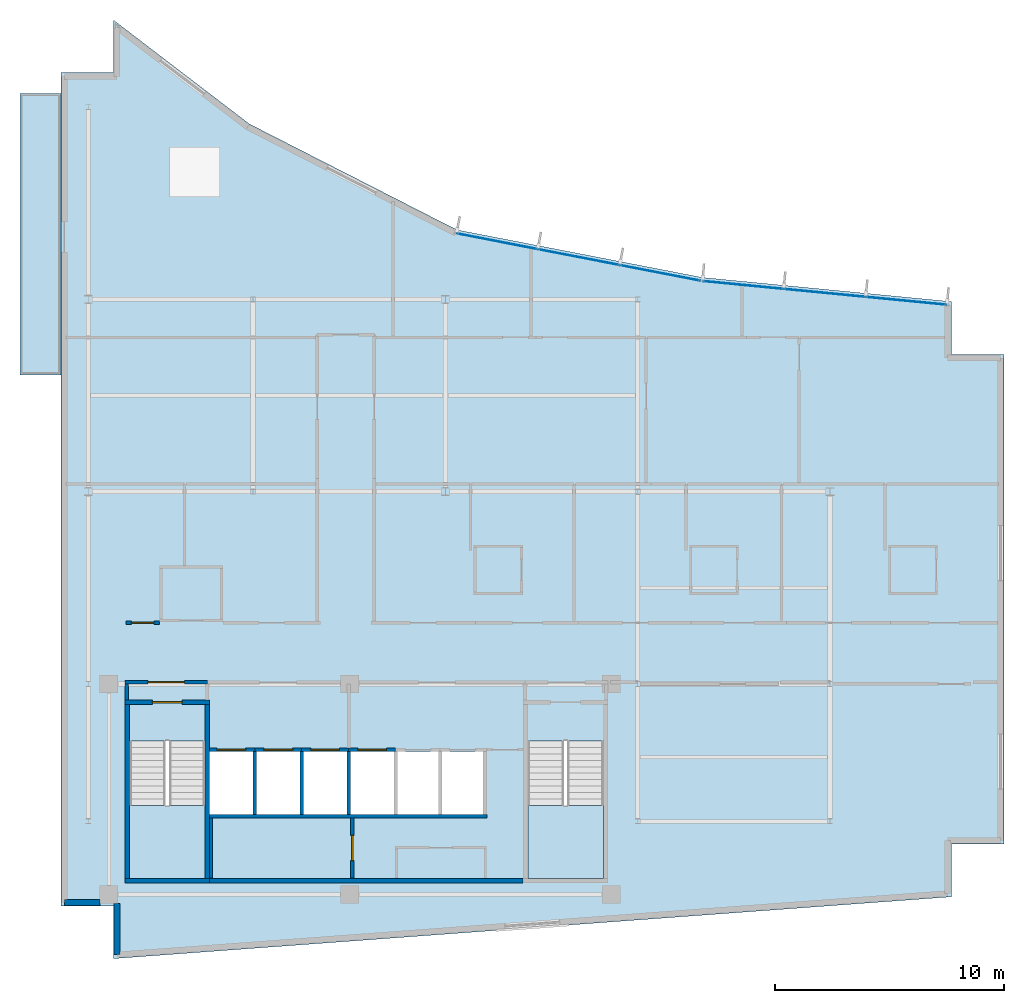
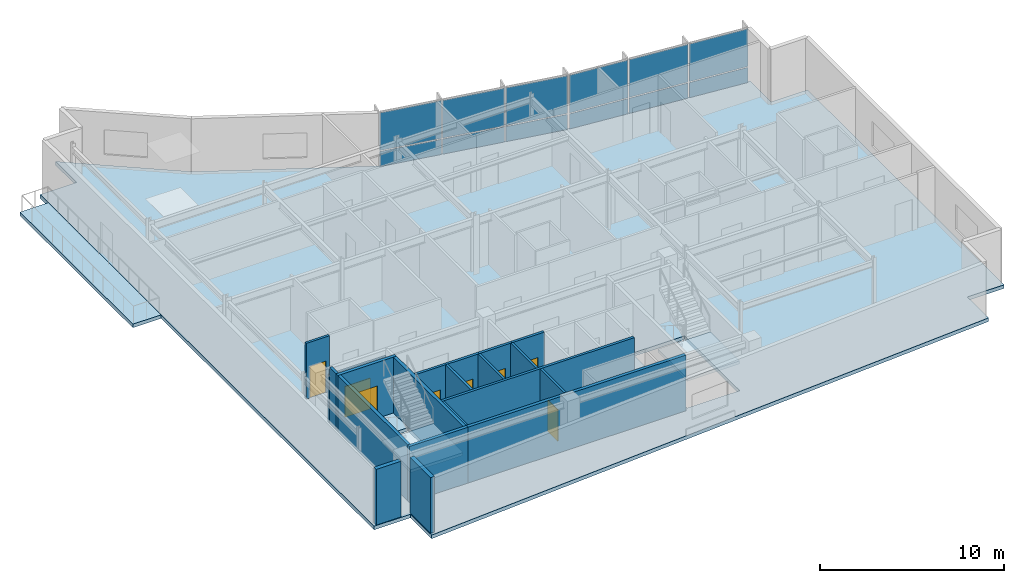
# One storey, part 9 of 15: 20 walls, 12 plates, 8 doors, 4 slabs, 8 openings, 4 elements without a shape of their own.
"""IFC4 building model written with IfcOpenShell, lengths in metres."""

from ifc_helpers import new_model, si_unit, direction, frame, frame_2d, origin, origin_2d, place, context, subcontext, project, spatial, polyline, rectangle, outline, extrude, material, layer, layer_set, type_object, element, fill, aggregate, save


model = new_model("IFC4")

# Units and contexts
model_context = context("Model", 3, precision=1e-05, world=origin(), true_north=direction((0.0, 1.0)))
body_context = subcontext(model_context, "Body", "Model", "MODEL_VIEW")
ifc_project = project(units=[si_unit("LENGTHUNIT", "METRE"), si_unit("AREAUNIT", "SQUARE_METRE"), si_unit("VOLUMEUNIT", "CUBIC_METRE"), si_unit("PLANEANGLEUNIT", "RADIAN"), si_unit("MASSUNIT", "GRAM", prefix="KILO")], contexts=[model_context])

# Site, building, storey
site_placement = place(None, origin())
site = spatial("IfcSite", under=ifc_project, at=site_placement, CompositionType="ELEMENT")
building_placement = place(site_placement, origin())
building = spatial("IfcBuilding", under=site, at=building_placement, Name="Varnakote Quay Hospital", CompositionType="ELEMENT")
storey_placement = place(building_placement, frame((0.0, 0.0, 284.199951171875)))
storey = spatial("IfcBuildingStorey", under=building, at=storey_placement, Name="L70", CompositionType="ELEMENT", Elevation=284.199951171875)

# Curtain wall, plates
ifc_material_1 = material(Name="Anodised aluminium 6063-T6 Bronze", Category="aluminium")
ifc_layer_1 = layer(ifc_material_1, 0.235107421875)
ifc_layer_set_1 = layer_set([ifc_layer_1], Name="Anodised aluminium 6063-T6 Bronze")
curtain_wall_type = type_object("IfcCurtainWallType", Name="CW-SYS-5", PredefinedType="NOTDEFINED", material=ifc_layer_set_1)
curtain_wall_1_placement = place(storey_placement, origin())
curtain_wall_1 = element("IfcCurtainWall", 1, at=curtain_wall_1_placement, inside=storey, type_object=curtain_wall_type, Name="L70 Unitised Bronze Curtain Wall 1", PredefinedType="NOTDEFINED")
ifc_material_2 = material(Name="Double-glazed low-E solar glass", Category="glass")
ifc_layer_2 = layer(ifc_material_2, 0.028076171875)
ifc_layer_set_2 = layer_set([ifc_layer_2], Name="Double-glazed low-E solar glass")
plate_type = type_object("IfcPlateType", Name="CW-PNL-GLZ-28", PredefinedType="CURTAIN_PANEL", material=ifc_layer_set_2)
plate_1_placement = place(storey_placement, frame((36.9326171875, 28.730224609375, 0.065185546875), z_axis=(0.0, 0.0, 1.0), x_axis=(-0.995326295192, 0.096568970683, 0.0)))
plate_1 = element("IfcPlate", 2, at=plate_1_placement, type_object=plate_type, Name="-5-L70-1 panel 1.1", PredefinedType="CURTAIN_PANEL", context=body_context, shape_type="SweptSolid", body=[
    extrude(rectangle(XDim=3.501708984375, YDim=0.028076171875, at=origin_2d()), origin(), (0.0, 0.0, 1.0), 1.00244140625),
])
plate_2_placement = place(storey_placement, frame((36.9326171875, 28.730224609375, 1.1328125), z_axis=(0.0, 0.0, 1.0), x_axis=(-0.995326295192, 0.096568970683, 0.0)))
plate_2 = element("IfcPlate", 3, at=plate_2_placement, type_object=plate_type, Name="-5-L70-1 panel 1.2", PredefinedType="CURTAIN_PANEL", context=body_context, shape_type="SweptSolid", body=[
    extrude(rectangle(XDim=3.501708984375, YDim=0.028076171875, at=origin_2d()), origin(), (0.0, 0.0, 1.0), 2.512451171875),
])
plate_3_placement = place(storey_placement, frame((33.366455078125, 29.076171875, 0.065185546875), z_axis=(0.0, 0.0, 1.0), x_axis=(-0.995326295192, 0.096568970683, 0.0)))
plate_3 = element("IfcPlate", 4, at=plate_3_placement, type_object=plate_type, Name="-5-L70-1 panel 2.1", PredefinedType="CURTAIN_PANEL", context=body_context, shape_type="SweptSolid", body=[
    extrude(rectangle(XDim=3.5341796875, YDim=0.028076171875, at=origin_2d()), origin(), (0.0, 0.0, 1.0), 1.00244140625),
])
plate_4_placement = place(storey_placement, frame((33.366455078125, 29.076171875, 1.1328125), z_axis=(0.0, 0.0, 1.0), x_axis=(-0.995326295192, 0.096568970683, 0.0)))
plate_4 = element("IfcPlate", 5, at=plate_4_placement, type_object=plate_type, Name="-5-L70-1 panel 2.2", PredefinedType="CURTAIN_PANEL", context=body_context, shape_type="SweptSolid", body=[
    extrude(rectangle(XDim=3.5341796875, YDim=0.028076171875, at=origin_2d()), origin(), (0.0, 0.0, 1.0), 2.512451171875),
])
plate_5_placement = place(storey_placement, frame((29.80029296875, 29.422119140625, 0.065185546875), z_axis=(0.0, 0.0, 1.0), x_axis=(-0.995326295192, 0.096568970683, 0.0)))
plate_5 = element("IfcPlate", 6, at=plate_5_placement, type_object=plate_type, Name="-5-L70-1 panel 3.1", PredefinedType="CURTAIN_PANEL", context=body_context, shape_type="SweptSolid", body=[
    extrude(rectangle(XDim=3.501708984375, YDim=0.028076171875, at=origin_2d()), origin(), (0.0, 0.0, 1.0), 1.00244140625),
])
plate_6_placement = place(storey_placement, frame((29.80029296875, 29.422119140625, 1.1328125), z_axis=(0.0, 0.0, 1.0), x_axis=(-0.995326295192, 0.096568970683, 0.0)))
plate_6 = element("IfcPlate", 7, at=plate_6_placement, type_object=plate_type, Name="-5-L70-1 panel 3.2", PredefinedType="CURTAIN_PANEL", context=body_context, shape_type="SweptSolid", body=[
    extrude(rectangle(XDim=3.501708984375, YDim=0.028076171875, at=origin_2d()), origin(), (0.0, 0.0, 1.0), 2.512451171875),
])
aggregate(curtain_wall_1, [plate_1, plate_2, plate_3, plate_4, plate_5, plate_6])

curtain_wall_2_placement = place(storey_placement, origin())
curtain_wall_2 = element("IfcCurtainWall", 8, at=curtain_wall_2_placement, inside=storey, type_object=curtain_wall_type, Name="L70 Unitised Bronze Curtain Wall 2", PredefinedType="NOTDEFINED")
plate_7_placement = place(storey_placement, frame((26.186767578125, 29.947998046875, 0.065185546875), z_axis=(0.0, 0.0, 1.0), x_axis=(-0.981699958418, 0.190434218676, 0.0)))
plate_7 = element("IfcPlate", 9, at=plate_7_placement, type_object=plate_type, Name="-5-L70-2 panel 1.1", PredefinedType="CURTAIN_PANEL", context=body_context, shape_type="SweptSolid", body=[
    extrude(rectangle(XDim=3.5498046875, YDim=0.028076171875, at=origin_2d()), origin(), (0.0, 0.0, 1.0), 1.00244140625),
])
plate_8_placement = place(storey_placement, frame((26.186767578125, 29.947998046875, 1.1328125), z_axis=(0.0, 0.0, 1.0), x_axis=(-0.981699958418, 0.190434218676, 0.0)))
plate_8 = element("IfcPlate", 10, at=plate_8_placement, type_object=plate_type, Name="-5-L70-2 panel 1.2", PredefinedType="CURTAIN_PANEL", context=body_context, shape_type="SweptSolid", body=[
    extrude(rectangle(XDim=3.5498046875, YDim=0.028076171875, at=origin_2d()), origin(), (0.0, 0.0, 1.0), 2.512451171875),
])
plate_9_placement = place(storey_placement, frame((22.622314453125, 30.639404296875, 0.065185546875), z_axis=(0.0, 0.0, 1.0), x_axis=(-0.981699958418, 0.190434218676, 0.0)))
plate_9 = element("IfcPlate", 11, at=plate_9_placement, type_object=plate_type, Name="-5-L70-2 panel 2.1", PredefinedType="CURTAIN_PANEL", context=body_context, shape_type="SweptSolid", body=[
    extrude(rectangle(XDim=3.582275390625, YDim=0.028076171875, at=origin_2d()), origin(), (0.0, 0.0, 1.0), 1.00244140625),
])
plate_10_placement = place(storey_placement, frame((22.622314453125, 30.639404296875, 1.1328125), z_axis=(0.0, 0.0, 1.0), x_axis=(-0.981699958418, 0.190434218676, 0.0)))
plate_10 = element("IfcPlate", 12, at=plate_10_placement, type_object=plate_type, Name="-5-L70-2 panel 2.2", PredefinedType="CURTAIN_PANEL", context=body_context, shape_type="SweptSolid", body=[
    extrude(rectangle(XDim=3.582275390625, YDim=0.028076171875, at=origin_2d()), origin(), (0.0, 0.0, 1.0), 2.512451171875),
])
plate_11_placement = place(storey_placement, frame((19.0576171875, 31.330810546875, 0.065185546875), z_axis=(0.0, 0.0, 1.0), x_axis=(-0.981699958418, 0.190434218676, 0.0)))
plate_11 = element("IfcPlate", 13, at=plate_11_placement, type_object=plate_type, Name="-5-L70-2 panel 3.1", PredefinedType="CURTAIN_PANEL", context=body_context, shape_type="SweptSolid", body=[
    extrude(rectangle(XDim=3.5498046875, YDim=0.028076171875, at=origin_2d()), origin(), (0.0, 0.0, 1.0), 1.00244140625),
])
plate_12_placement = place(storey_placement, frame((19.0576171875, 31.330810546875, 1.1328125), z_axis=(0.0, 0.0, 1.0), x_axis=(-0.981699958418, 0.190434218676, 0.0)))
plate_12 = element("IfcPlate", 14, at=plate_12_placement, type_object=plate_type, Name="-5-L70-2 panel 3.2", PredefinedType="CURTAIN_PANEL", context=body_context, shape_type="SweptSolid", body=[
    extrude(rectangle(XDim=3.5498046875, YDim=0.028076171875, at=origin_2d()), origin(), (0.0, 0.0, 1.0), 2.512451171875),
])
aggregate(curtain_wall_2, [plate_7, plate_8, plate_9, plate_10, plate_11, plate_12])

# Stair, slab
ifc_material_3 = material(Name="Concrete N40 (f'c 40 MPa)", Category="concrete")
stair_type = type_object("IfcStairType", Name="STR-CORE-1580", PredefinedType="HALF_TURN_STAIR", material=ifc_material_3)
stair_1_placement = place(storey_placement, origin())
stair_1 = element("IfcStair", 15, at=stair_1_placement, inside=storey, type_object=stair_type, Name="L70 Fire-Isolated Exit Stair ST-01", PredefinedType="HALF_TURN_STAIR")
ifc_material_4 = material(Name="Concrete N40 (f'c 40 MPa)", Category="concrete")
ifc_layer_3 = layer(ifc_material_4, 0.199951171875)
ifc_layer_set_3 = layer_set([ifc_layer_3], Name="Concrete N40 (f'c 40 MPa)")
slab_type_1 = type_object("IfcSlabType", Name="SLB-STAIR-LND-200", PredefinedType="LANDING", material=ifc_layer_set_3)
slab_1_placement = place(storey_placement, frame((0.0, 0.0, 1.775146484375)))
slab_1 = element("IfcSlab", 16, at=slab_1_placement, type_object=slab_type_1, Name="ST-01 landing 1", PredefinedType="LANDING", context=body_context, shape_type="SweptSolid", body=[
    extrude(outline(polyline([(3.0, 6.699951171875), (3.0, 3.5), (6.300048828125, 3.5), (6.300048828125, 6.699951171875), (3.0, 6.699951171875)])), origin(), (0.0, 0.0, 1.0), 0.199951171875),
])
aggregate(stair_1, [slab_1])

stair_2_placement = place(storey_placement, origin())
stair_2 = element("IfcStair", 17, at=stair_2_placement, inside=storey, type_object=stair_type, Name="L70 Fire-Isolated Exit Stair ST-02", PredefinedType="HALF_TURN_STAIR")
slab_2_placement = place(storey_placement, frame((0.0, 0.0, 1.775146484375)))
slab_2 = element("IfcSlab", 18, at=slab_2_placement, type_object=slab_type_1, Name="ST-02 landing 1", PredefinedType="LANDING", context=body_context, shape_type="SweptSolid", body=[
    extrude(outline(polyline([(20.39990234375, 6.699951171875), (20.39990234375, 3.5), (23.699951171875, 3.5), (23.699951171875, 6.699951171875), (20.39990234375, 6.699951171875)])), origin(), (0.0, 0.0, 1.0), 0.199951171875),
])
aggregate(stair_2, [slab_2])

# Slabs
ifc_material_5 = material(Name="Concrete N50 (f'c 50 MPa)", Category="concrete")
ifc_layer_4 = layer(ifc_material_5, 0.239990234375)
ifc_layer_set_4 = layer_set([ifc_layer_4], Name="Concrete N50 (f'c 50 MPa)")
slab_type_2 = type_object("IfcSlabType", Name="SLB-TERR-200", PredefinedType="FLOOR", material=ifc_layer_set_4)
slab_3_placement = place(storey_placement, frame((0.0, 0.0, -0.239990234375)))
element("IfcSlab", 19, at=slab_3_placement, inside=storey, type_object=slab_type_2, Name="L70 Waterfront Healing Terrace Slab", PredefinedType="FLOOR", context=body_context, shape_type="SweptSolid", body=[
    extrude(outline(polyline([(0.00390625, 25.5), (0.00390625, 37.800048828125), (-1.780029296875, 37.800048828125), (-1.780029296875, 25.5), (0.00390625, 25.5)])), origin(), (0.0, 0.0, 1.0), 0.239990234375),
])
ifc_material_6 = material(Name="Concrete N50 (f'c 50 MPa)", Category="concrete")
ifc_layer_5 = layer(ifc_material_6, 0.239990234375)
ifc_layer_set_5 = layer_set([ifc_layer_5], Name="Concrete N50 (f'c 50 MPa)")
slab_type_3 = type_object("IfcSlabType", Name="SLB-WARD-200", PredefinedType="FLOOR", material=ifc_layer_set_5)
slab_4_placement = place(storey_placement, frame((0.0, 0.0, -0.239990234375)))
element("IfcSlab", 20, at=slab_4_placement, inside=storey, type_object=slab_type_3, Name="L70 Primary Floor Slab", PredefinedType="FLOOR", context=body_context, shape_type="SweptSolid", body=[
    extrude(outline(polyline([(0.0, 2.300048828125), (2.300048828125, 2.300048828125), (2.300048828125, 0.0), (38.89990234375, 2.699951171875), (38.89990234375, 5.0), (41.199951171875, 5.0), (41.199951171875, 26.39990234375), (38.89990234375, 26.39990234375), (38.89990234375, 28.699951171875), (28.01611328125, 29.756103515625), (17.303955078125, 31.833984375), (8.239990234375, 36.4599609375), (2.300048828125, 41.0), (2.300048828125, 38.699951171875), (0.0, 38.699951171875), (0.0, 2.300048828125)]), holes=[polyline([(3.0, 3.5), (6.300048828125, 3.5), (6.300048828125, 9.49951171875), (3.0, 9.49951171875), (3.0, 3.5)]), polyline([(20.39990234375, 3.5), (23.699951171875, 3.5), (23.699951171875, 9.49951171875), (20.39990234375, 9.49951171875), (20.39990234375, 3.5)]), polyline([(6.5, 6.300048828125), (8.39990234375, 6.300048828125), (8.39990234375, 9.050048828125), (6.5, 9.050048828125), (6.5, 6.300048828125)]), polyline([(8.550048828125, 6.300048828125), (10.449951171875, 6.300048828125), (10.449951171875, 9.050048828125), (8.550048828125, 9.050048828125), (8.550048828125, 6.300048828125)]), polyline([(10.60009765625, 6.300048828125), (12.5, 6.300048828125), (12.5, 9.050048828125), (10.60009765625, 9.050048828125), (10.60009765625, 6.300048828125)]), polyline([(12.64990234375, 6.300048828125), (14.550048828125, 6.300048828125), (14.550048828125, 9.050048828125), (12.64990234375, 9.050048828125), (12.64990234375, 6.300048828125)]), polyline([(14.699951171875, 6.300048828125), (16.5, 6.300048828125), (16.5, 9.050048828125), (14.699951171875, 9.050048828125), (14.699951171875, 6.300048828125)]), polyline([(16.64990234375, 6.300048828125), (18.449951171875, 6.300048828125), (18.449951171875, 9.050048828125), (16.64990234375, 9.050048828125), (16.64990234375, 6.300048828125)])]), origin(), (0.0, 0.0, 1.0), 0.239990234375),
])

# Wall
ifc_material_7 = material(Name="Fire-rated acoustic gypsum stud wall", Category="gypsum")
ifc_layer_6 = layer(ifc_material_7, 0.159912109375)
ifc_layer_set_6 = layer_set([ifc_layer_6], Name="Fire-rated acoustic gypsum stud wall")
wall_type_1 = type_object("IfcWallType", Name="WL-COMP-160", PredefinedType="PARTITIONING", material=ifc_layer_set_6)
wall_1_placement = place(storey_placement, frame((2.8798828125, 11.300048828125, 0.0), z_axis=(0.0, 0.0, 1.0), x_axis=(0.0, 1.0, 0.0)))
element("IfcWall", 21, at=wall_1_placement, inside=storey, type_object=wall_type_1, Name="L70 West Stair Vestibule West Wall", PredefinedType="PARTITIONING", context=body_context, shape_type="SweptSolid", body=[
    extrude(rectangle(XDim=0.699951171875, YDim=0.159912109375, at=frame_2d((0.35009765625, 0.0))), origin(), (0.0, 0.0, 1.0), 3.7099609375),
])

# Wall, opening, door
wall_2_placement = place(storey_placement, frame((2.800048828125, 12.080078125, 0.0), z_axis=(0.0, 0.0, 1.0), x_axis=(1.0, 0.0, 0.0)))
wall_2 = element("IfcWall", 22, at=wall_2_placement, inside=storey, type_object=wall_type_1, Name="L70 West Stair Vestibule Smoke Wall", PredefinedType="PARTITIONING", context=body_context, shape_type="SweptSolid", body=[
    extrude(rectangle(XDim=3.599853515625, YDim=0.159912109375, at=frame_2d((1.7998046875, 0.0))), origin(), (0.0, 0.0, 1.0), 3.156982421875),
])
opening_1_placement = place(wall_2_placement, frame((1.0, 0.0, 0.0)))
opening_1 = element("IfcOpeningElement", 23, at=opening_1_placement, cuts=wall_2, Name="Opening D-ST1L-L70", PredefinedType="OPENING", context=body_context, shape_type="SweptSolid", body=[
    extrude(rectangle(XDim=1.60009765625, YDim=2.050048828125, at=frame_2d((0.800048828125, 1.02490234375))), frame((0.0, 0.08984375, 0.0), z_axis=(0.0, -1.0, 0.0), x_axis=(1.0, 0.0, 0.0)), (0.0, 0.0, 1.0), 0.179931640625),
])
ifc_material_8 = material(Name="Fire-rated double smoke lobby door")
door_type_1 = type_object("IfcDoorType", Name="DR-LOBBY-FD60S-1600x2150", OperationType="NOTDEFINED", PredefinedType="DOOR", material=ifc_material_8)
door_1_placement = place(opening_1_placement, origin())
door_1 = element("IfcDoor", 24, at=door_1_placement, inside=storey, type_object=door_type_1, Name="L70 West Stair Vestibule Smoke Door", OperationType="DOUBLE_DOOR_SINGLE_SWING", OverallHeight=2.050048828125, OverallWidth=1.60009765625, PredefinedType="DOOR", context=body_context, shape_type="SweptSolid", body=[
    extrude(rectangle(XDim=1.60009765625, YDim=2.050048828125, at=frame_2d((0.800048828125, 1.02490234375))), frame((0.0, 0.02490234375, 0.0), z_axis=(0.0, -1.0, 0.0), x_axis=(1.0, 0.0, 0.0)), (0.0, 0.0, 1.0), 0.050048828125),
])
fill(opening_1, door_1)

# Walls
ifc_material_9 = material(Name="Concrete N50 (f'c 50 MPa)", Category="concrete")
ifc_layer_7 = layer(ifc_material_9, 0.199951171875)
ifc_layer_set_7 = layer_set([ifc_layer_7], Name="Concrete N50 (f'c 50 MPa)")
wall_type_2 = type_object("IfcWallType", Name="WL-CORE-N50-200", PredefinedType="SHEAR", material=ifc_layer_set_7)
wall_3_placement = place(storey_placement, frame((6.5, 3.39990234375, 0.0), z_axis=(0.0, 0.0, 1.0), x_axis=(1.0, 0.0, 0.0)))
element("IfcWall", 25, at=wall_3_placement, inside=storey, type_object=wall_type_2, Name="L70 Rear Core South Shear Wall", PredefinedType="SHEAR", context=body_context, shape_type="SweptSolid", body=[
    extrude(rectangle(XDim=13.699951171875, YDim=0.199951171875, at=frame_2d((6.85009765625, 0.0))), origin(), (0.0, 0.0, 1.0), 3.7099609375),
])
ifc_material_10 = material(Name="Precast concrete N50 (f'c 50 MPa)", Category="concrete")
ifc_layer_8 = layer(ifc_material_10, 0.260009765625)
ifc_layer_set_8 = layer_set([ifc_layer_8], Name="Precast concrete N50 (f'c 50 MPa)")
wall_type_3 = type_object("IfcWallType", Name="WL-EXT-BRICK-260", PredefinedType="STANDARD", material=ifc_layer_set_8)
wall_4_placement = place(storey_placement, frame((2.4599609375, 2.4150390625, 0.0), z_axis=(0.0, 0.0, 1.0), x_axis=(0.0, -1.0, 0.0)))
element("IfcWall", 26, at=wall_4_placement, inside=storey, type_object=wall_type_3, Name="L70 Brick-Faced Precast Exterior Wall", PredefinedType="STANDARD", context=body_context, shape_type="SweptSolid", body=[
    extrude(rectangle(XDim=2.242919921875, YDim=0.260009765625, at=frame_2d((1.12158203125, 0.0))), origin(), (0.0, 0.0, 1.0), 3.7099609375),
])
wall_5_placement = place(storey_placement, frame((0.159912109375, 2.4599609375, 0.0), z_axis=(0.0, 0.0, 1.0), x_axis=(1.0, 0.0, 0.0)))
element("IfcWall", 27, at=wall_5_placement, inside=storey, type_object=wall_type_3, Name="L70 Brick-Faced Precast Exterior Wall", PredefinedType="STANDARD", context=body_context, shape_type="SweptSolid", body=[
    extrude(rectangle(XDim=1.55517578125, YDim=0.260009765625, at=frame_2d((0.777587890625, 0.0))), origin(), (0.0, 0.0, 1.0), 3.7099609375),
])
ifc_material_11 = material(Name="Concrete N50 (f'c 50 MPa)", Category="concrete")
ifc_layer_9 = layer(ifc_material_11, 0.14990234375)
ifc_layer_set_9 = layer_set([ifc_layer_9], Name="Concrete N50 (f'c 50 MPa)")
wall_type_4 = type_object("IfcWallType", Name="WL-SHAFT-N50-150", PredefinedType="SHEAR", material=ifc_layer_set_9)
for number, where, z_axis, x_axis, name in (
    (28, (8.47509765625, 6.300048828125, 0.0), (0.0, 0.0, 1.0), (0.0, 1.0, 0.0), "L70 LF-FF1 Hoistway Divider Wall"),
    (29, (10.52490234375, 6.300048828125, 0.0), (0.0, 0.0, 1.0), (0.0, 1.0, 0.0), "L70 LF-FF2 Hoistway Divider Wall"),
    (30, (12.574951171875, 6.300048828125, 0.0), (0.0, 0.0, 1.0), (0.0, 1.0, 0.0), "L70 LF-SV1 Hoistway Divider Wall"),
):
    element("IfcWall", number, at=place(storey_placement, frame(where, z_axis=z_axis, x_axis=x_axis)), inside=storey, type_object=wall_type_4, Name=name, PredefinedType="SHEAR", context=body_context, shape_type="SweptSolid", body=[
        extrude(rectangle(XDim=2.75, YDim=0.14990234375, at=frame_2d((1.375, 0.0))), origin(), (0.0, 0.0, 1.0), 3.7099609375),
    ])
ifc_material_12 = material(Name="Concrete N50 (f'c 50 MPa)", Category="concrete")
ifc_layer_10 = layer(ifc_material_12, 0.159912109375)
ifc_layer_set_10 = layer_set([ifc_layer_10], Name="Concrete N50 (f'c 50 MPa)")
wall_type_5 = type_object("IfcWallType", Name="WL-SHAFT-N50-160", PredefinedType="SHEAR", material=ifc_layer_set_10)
wall_6_placement = place(storey_placement, frame((6.5, 6.219970703125, 0.0), z_axis=(0.0, 0.0, 1.0), x_axis=(1.0, 0.0, 0.0)))
element("IfcWall", 31, at=wall_6_placement, inside=storey, type_object=wall_type_5, Name="L70 REAR Lift Bank Back Shear Wall", PredefinedType="SHEAR", context=body_context, shape_type="SweptSolid", body=[
    extrude(rectangle(XDim=12.110107421875, YDim=0.159912109375, at=frame_2d((6.05517578125, 0.0))), origin(), (0.0, 0.0, 1.0), 3.7099609375),
])

# Wall, opening, door
wall_7_placement = place(storey_placement, frame((6.5, 9.1298828125, 0.0), z_axis=(0.0, 0.0, 1.0), x_axis=(1.0, 0.0, 0.0)))
wall_7 = element("IfcWall", 32, at=wall_7_placement, inside=storey, type_object=wall_type_5, Name="L70 LF-FF1 Hoistway Front Wall", PredefinedType="SHEAR", context=body_context, shape_type="SweptSolid", body=[
    extrude(rectangle(XDim=1.97509765625, YDim=0.159912109375, at=frame_2d((0.987548828125, 0.0))), origin(), (0.0, 0.0, 1.0), 3.7099609375),
])
opening_2_placement = place(wall_7_placement, frame((0.324951171875, 0.0, 0.0)))
opening_2 = element("IfcOpeningElement", 33, at=opening_2_placement, cuts=wall_7, Name="Opening LD-FF1-L70", PredefinedType="OPENING", context=body_context, shape_type="SweptSolid", body=[
    extrude(rectangle(XDim=1.25, YDim=2.14990234375, at=frame_2d((0.625, 1.074951171875))), frame((0.0, 0.08984375, 0.0), z_axis=(0.0, -1.0, 0.0), x_axis=(1.0, 0.0, 0.0)), (0.0, 0.0, 1.0), 0.179931640625),
])
ifc_material_13 = material(Name="Stainless steel lift landing sliding door", Category="steel")
door_type_2 = type_object("IfcDoorType", Name="DR-LIFT-LD-1250x2150", OperationType="NOTDEFINED", PredefinedType="DOOR", material=ifc_material_13)
door_2_placement = place(opening_2_placement, origin())
door_2 = element("IfcDoor", 34, at=door_2_placement, inside=storey, type_object=door_type_2, Name="L70 LF-FF1 Lift Landing Sliding Door", OperationType="SLIDING_TO_LEFT", OverallHeight=2.14990234375, OverallWidth=1.25, PredefinedType="DOOR", context=body_context, shape_type="SweptSolid", body=[
    extrude(rectangle(XDim=1.25, YDim=2.14990234375, at=frame_2d((0.625, 1.074951171875))), frame((0.0, 0.02490234375, 0.0), z_axis=(0.0, -1.0, 0.0), x_axis=(1.0, 0.0, 0.0)), (0.0, 0.0, 1.0), 0.050048828125),
])
fill(opening_2, door_2)

wall_8_placement = place(storey_placement, frame((8.47509765625, 9.1298828125, 0.0), z_axis=(0.0, 0.0, 1.0), x_axis=(1.0, 0.0, 0.0)))
wall_8 = element("IfcWall", 35, at=wall_8_placement, inside=storey, type_object=wall_type_5, Name="L70 LF-FF2 Hoistway Front Wall", PredefinedType="SHEAR", context=body_context, shape_type="SweptSolid", body=[
    extrude(rectangle(XDim=2.0498046875, YDim=0.159912109375, at=frame_2d((1.02490234375, 0.0))), origin(), (0.0, 0.0, 1.0), 3.7099609375),
])
opening_3_placement = place(wall_8_placement, frame((0.39990234375, 0.0, 0.0)))
opening_3 = element("IfcOpeningElement", 36, at=opening_3_placement, cuts=wall_8, Name="Opening LD-FF2-L70", PredefinedType="OPENING", context=body_context, shape_type="SweptSolid", body=[
    extrude(rectangle(XDim=1.25, YDim=2.14990234375, at=frame_2d((0.625, 1.074951171875))), frame((0.0, 0.08984375, 0.0), z_axis=(0.0, -1.0, 0.0), x_axis=(1.0, 0.0, 0.0)), (0.0, 0.0, 1.0), 0.179931640625),
])
door_3_placement = place(opening_3_placement, origin())
door_3 = element("IfcDoor", 37, at=door_3_placement, inside=storey, type_object=door_type_2, Name="L70 LF-FF2 Lift Landing Sliding Door", OperationType="SLIDING_TO_LEFT", OverallHeight=2.14990234375, OverallWidth=1.25, PredefinedType="DOOR", context=body_context, shape_type="SweptSolid", body=[
    extrude(rectangle(XDim=1.25, YDim=2.14990234375, at=frame_2d((0.625, 1.074951171875))), frame((0.0, 0.02490234375, 0.0), z_axis=(0.0, -1.0, 0.0), x_axis=(1.0, 0.0, 0.0)), (0.0, 0.0, 1.0), 0.050048828125),
])
fill(opening_3, door_3)

wall_9_placement = place(storey_placement, frame((10.52490234375, 9.1298828125, 0.0), z_axis=(0.0, 0.0, 1.0), x_axis=(1.0, 0.0, 0.0)))
wall_9 = element("IfcWall", 38, at=wall_9_placement, inside=storey, type_object=wall_type_5, Name="L70 LF-SV1 Hoistway Front Wall", PredefinedType="SHEAR", context=body_context, shape_type="SweptSolid", body=[
    extrude(rectangle(XDim=2.050048828125, YDim=0.159912109375, at=frame_2d((1.02490234375, 0.0))), origin(), (0.0, 0.0, 1.0), 3.7099609375),
])
opening_4_placement = place(wall_9_placement, frame((0.39990234375, 0.0, 0.0)))
opening_4 = element("IfcOpeningElement", 39, at=opening_4_placement, cuts=wall_9, Name="Opening LD-SV1-L70", PredefinedType="OPENING", context=body_context, shape_type="SweptSolid", body=[
    extrude(rectangle(XDim=1.25, YDim=2.14990234375, at=frame_2d((0.625, 1.074951171875))), frame((0.0, 0.08984375, 0.0), z_axis=(0.0, -1.0, 0.0), x_axis=(1.0, 0.0, 0.0)), (0.0, 0.0, 1.0), 0.179931640625),
])
door_4_placement = place(opening_4_placement, origin())
door_4 = element("IfcDoor", 40, at=door_4_placement, inside=storey, type_object=door_type_2, Name="L70 LF-SV1 Lift Landing Sliding Door", OperationType="SLIDING_TO_LEFT", OverallHeight=2.14990234375, OverallWidth=1.25, PredefinedType="DOOR", context=body_context, shape_type="SweptSolid", body=[
    extrude(rectangle(XDim=1.25, YDim=2.14990234375, at=frame_2d((0.625, 1.074951171875))), frame((0.0, 0.02490234375, 0.0), z_axis=(0.0, -1.0, 0.0), x_axis=(1.0, 0.0, 0.0)), (0.0, 0.0, 1.0), 0.050048828125),
])
fill(opening_4, door_4)

wall_10_placement = place(storey_placement, frame((12.574951171875, 9.1298828125, 0.0), z_axis=(0.0, 0.0, 1.0), x_axis=(1.0, 0.0, 0.0)))
wall_10 = element("IfcWall", 41, at=wall_10_placement, inside=storey, type_object=wall_type_5, Name="L70 LF-SV2 Hoistway Front Wall", PredefinedType="SHEAR", context=body_context, shape_type="SweptSolid", body=[
    extrude(rectangle(XDim=2.050048828125, YDim=0.159912109375, at=frame_2d((1.02490234375, 0.0))), origin(), (0.0, 0.0, 1.0), 3.7099609375),
])
opening_5_placement = place(wall_10_placement, frame((0.39990234375, 0.0, 0.0)))
opening_5 = element("IfcOpeningElement", 42, at=opening_5_placement, cuts=wall_10, Name="Opening LD-SV2-L70", PredefinedType="OPENING", context=body_context, shape_type="SweptSolid", body=[
    extrude(rectangle(XDim=1.25, YDim=2.14990234375, at=frame_2d((0.625, 1.074951171875))), frame((0.0, 0.08984375, 0.0), z_axis=(0.0, -1.0, 0.0), x_axis=(1.0, 0.0, 0.0)), (0.0, 0.0, 1.0), 0.179931640625),
])
door_5_placement = place(opening_5_placement, origin())
door_5 = element("IfcDoor", 43, at=door_5_placement, inside=storey, type_object=door_type_2, Name="L70 LF-SV2 Lift Landing Sliding Door", OperationType="SLIDING_TO_LEFT", OverallHeight=2.14990234375, OverallWidth=1.25, PredefinedType="DOOR", context=body_context, shape_type="SweptSolid", body=[
    extrude(rectangle(XDim=1.25, YDim=2.14990234375, at=frame_2d((0.625, 1.074951171875))), frame((0.0, 0.02490234375, 0.0), z_axis=(0.0, -1.0, 0.0), x_axis=(1.0, 0.0, 0.0)), (0.0, 0.0, 1.0), 0.050048828125),
])
fill(opening_5, door_5)

# Walls
ifc_material_14 = material(Name="Concrete N50 (f'c 50 MPa)", Category="concrete")
ifc_layer_11 = layer(ifc_material_14, 0.199951171875)
ifc_layer_set_11 = layer_set([ifc_layer_11], Name="Concrete N50 (f'c 50 MPa)")
wall_type_6 = type_object("IfcWallType", Name="WL-SHAFT-N50-200", PredefinedType="SHEAR", material=ifc_layer_set_11)
wall_11_placement = place(storey_placement, frame((2.800048828125, 3.39990234375, 0.0), z_axis=(0.0, 0.0, 1.0), x_axis=(1.0, 0.0, 0.0)))
element("IfcWall", 44, at=wall_11_placement, inside=storey, type_object=wall_type_6, Name="L70 Stair ST1 South Shaft Wall", PredefinedType="SHEAR", context=body_context, shape_type="SweptSolid", body=[
    extrude(rectangle(XDim=3.699951171875, YDim=0.199951171875, at=frame_2d((1.85009765625, 0.0))), origin(), (0.0, 0.0, 1.0), 3.7099609375),
])
for number, where, z_axis, x_axis, name in (
    (45, (2.89990234375, 3.5, 0.0), (0.0, 0.0, 1.0), (0.0, 1.0, 0.0), "L70 Stair ST1 West Shaft Wall"),
    (46, (6.39990234375, 3.5, 0.0), (0.0, 0.0, 1.0), (0.0, 1.0, 0.0), "L70 Stair ST1 East Shaft Wall"),
):
    element("IfcWall", number, at=place(storey_placement, frame(where, z_axis=z_axis, x_axis=x_axis)), inside=storey, type_object=wall_type_6, Name=name, PredefinedType="SHEAR", context=body_context, shape_type="SweptSolid", body=[
        extrude(rectangle(XDim=7.60009765625, YDim=0.199951171875, at=frame_2d((3.800048828125, 0.0))), origin(), (0.0, 0.0, 1.0), 3.7099609375),
    ])

# Wall, opening, door
wall_12_placement = place(storey_placement, frame((2.800048828125, 11.199951171875, 0.0), z_axis=(0.0, 0.0, 1.0), x_axis=(1.0, 0.0, 0.0)))
wall_12 = element("IfcWall", 47, at=wall_12_placement, inside=storey, type_object=wall_type_6, Name="L70 Stair ST1 Exit Wall", PredefinedType="SHEAR", context=body_context, shape_type="SweptSolid", body=[
    extrude(rectangle(XDim=3.699951171875, YDim=0.199951171875, at=frame_2d((1.85009765625, 0.0))), origin(), (0.0, 0.0, 1.0), 3.7099609375),
])
opening_6_placement = place(wall_12_placement, frame((1.199951171875, 0.0, 0.0)))
opening_6 = element("IfcOpeningElement", 48, at=opening_6_placement, cuts=wall_12, Name="Opening D-ST1-L70", PredefinedType="OPENING", context=body_context, shape_type="SweptSolid", body=[
    extrude(rectangle(XDim=1.300048828125, YDim=2.14990234375, at=frame_2d((0.64990234375, 1.074951171875))), frame((0.0, 0.10986328125, 0.0), z_axis=(0.0, -1.0, 0.0), x_axis=(1.0, 0.0, 0.0)), (0.0, 0.0, 1.0), 0.219970703125),
])
ifc_material_15 = material(Name="Fire-rated ceramic-glazed timber exit door", Category="wood")
door_type_3 = type_object("IfcDoorType", Name="DR-STAIR-FD60S-1300x2150", OperationType="NOTDEFINED", PredefinedType="DOOR", material=ifc_material_15)
door_6_placement = place(opening_6_placement, origin())
door_6 = element("IfcDoor", 49, at=door_6_placement, inside=storey, type_object=door_type_3, Name="L70 Stair ST1 Fire Exit Door", OperationType="SINGLE_SWING_LEFT", OverallHeight=2.14990234375, OverallWidth=1.300048828125, PredefinedType="DOOR", context=body_context, shape_type="SweptSolid", body=[
    extrude(rectangle(XDim=1.300048828125, YDim=2.14990234375, at=frame_2d((0.64990234375, 1.074951171875))), frame((0.0, 0.02490234375, 0.0), z_axis=(0.0, -1.0, 0.0), x_axis=(1.0, 0.0, 0.0)), (0.0, 0.0, 1.0), 0.050048828125),
])
fill(opening_6, door_6)

# Wall
ifc_material_16 = material(Name="Smoke-proof clinical partition", Category="gypsum")
ifc_layer_12 = layer(ifc_material_16, 0.1201171875)
ifc_layer_set_12 = layer_set([ifc_layer_12], Name="Smoke-proof clinical partition")
wall_type_7 = type_object("IfcWallType", Name="WL-SMOKE-120", PredefinedType="PARTITIONING", material=ifc_layer_set_12)
wall_13_placement = place(storey_placement, frame((6.56005859375, 3.52001953125, 0.0), z_axis=(0.0, 0.0, 1.0), x_axis=(0.0, 1.0, 0.0)))
element("IfcWall", 50, at=wall_13_placement, inside=storey, type_object=wall_type_7, Name="L70 Core West Store West Wall", PredefinedType="PARTITIONING", context=body_context, shape_type="SweptSolid", body=[
    extrude(rectangle(XDim=2.619873046875, YDim=0.1201171875, at=frame_2d((1.31005859375, 0.0))), origin(), (0.0, 0.0, 1.0), 3.7099609375),
])

# Wall, opening, door
ifc_material_17 = material(Name="Fire-rated clinical gypsum partition", Category="gypsum")
ifc_layer_13 = layer(ifc_material_17, 0.139892578125)
ifc_layer_set_13 = layer_set([ifc_layer_13], Name="Fire-rated clinical gypsum partition")
wall_type_8 = type_object("IfcWallType", Name="WL-WARD-140", PredefinedType="PARTITIONING", material=ifc_layer_set_13)
wall_14_placement = place(storey_placement, frame((12.72998046875, 3.52001953125, 0.0), z_axis=(0.0, 0.0, 1.0), x_axis=(0.0, 1.0, 0.0)))
wall_14 = element("IfcWall", 51, at=wall_14_placement, inside=storey, type_object=wall_type_8, Name="L70 Core Clean Equipment Store East Wall", PredefinedType="PARTITIONING", context=body_context, shape_type="SweptSolid", body=[
    extrude(rectangle(XDim=2.619873046875, YDim=0.139892578125, at=frame_2d((1.31005859375, 0.0))), origin(), (0.0, 0.0, 1.0), 3.7099609375),
])
opening_7_placement = place(wall_14_placement, frame((0.760009765625, 0.0, 0.0)))
opening_7 = element("IfcOpeningElement", 52, at=opening_7_placement, cuts=wall_14, Name="Opening D-L70-CR01", PredefinedType="OPENING", context=body_context, shape_type="SweptSolid", body=[
    extrude(rectangle(XDim=1.10009765625, YDim=2.10009765625, at=frame_2d((0.550048828125, 1.050048828125))), frame((0.0, 0.079833984375, 0.0), z_axis=(0.0, -1.0, 0.0), x_axis=(1.0, 0.0, 0.0)), (0.0, 0.0, 1.0), 0.159912109375),
])
ifc_material_18 = material(Name="Acoustic timber clinical consult door", Category="wood")
door_type_4 = type_object("IfcDoorType", Name="DR-CLIN-FD30S-1100x2100", OperationType="NOTDEFINED", PredefinedType="DOOR", material=ifc_material_18)
door_7_placement = place(opening_7_placement, origin())
door_7 = element("IfcDoor", 53, at=door_7_placement, inside=storey, type_object=door_type_4, Name="L70 Core Clean Equipment Store Door", OperationType="SINGLE_SWING_LEFT", OverallHeight=2.10009765625, OverallWidth=1.10009765625, PredefinedType="DOOR", context=body_context, shape_type="SweptSolid", body=[
    extrude(rectangle(XDim=1.10009765625, YDim=2.10009765625, at=frame_2d((0.550048828125, 1.050048828125))), frame((0.0, 0.02490234375, 0.0), z_axis=(0.0, -1.0, 0.0), x_axis=(1.0, 0.0, 0.0)), (0.0, 0.0, 1.0), 0.050048828125),
])
fill(opening_7, door_7)

ifc_material_19 = material(Name="Fire-rated clinical gypsum partition", Category="gypsum")
ifc_layer_14 = layer(ifc_material_19, 0.14990234375)
ifc_layer_set_14 = layer_set([ifc_layer_14], Name="Fire-rated clinical gypsum partition")
wall_type_9 = type_object("IfcWallType", Name="WL-WARD-150", PredefinedType="PARTITIONING", material=ifc_layer_set_14)
wall_15_placement = place(storey_placement, frame((4.30810546875, 14.679931640625, 0.0), z_axis=(0.0, 0.0, 1.0), x_axis=(-1.0, 0.0, 0.0)))
wall_15 = element("IfcWall", 54, at=wall_15_placement, inside=storey, type_object=wall_type_9, Name="L70 Clinical Interior Partition", PredefinedType="PARTITIONING", context=body_context, shape_type="SweptSolid", body=[
    extrude(rectangle(XDim=1.4580078125, YDim=0.14990234375, at=frame_2d((0.72900390625, 0.0))), origin(), (0.0, 0.0, 1.0), 3.7099609375),
])
opening_8_placement = place(wall_15_placement, frame((0.239013671875, 0.0, 0.0)))
opening_8 = element("IfcOpeningElement", 55, at=opening_8_placement, cuts=wall_15, Name="Opening D-L70-MD01", PredefinedType="OPENING", context=body_context, shape_type="SweptSolid", body=[
    extrude(rectangle(XDim=0.97998046875, YDim=2.10009765625, at=frame_2d((0.489990234375, 1.050048828125))), frame((0.0, 0.0849609375, 0.0), z_axis=(0.0, -1.0, 0.0), x_axis=(1.0, 0.0, 0.0)), (0.0, 0.0, 1.0), 0.169921875),
])
ifc_material_20 = material(Name="Accessible sanitary compartment door")
door_type_5 = type_object("IfcDoorType", Name="DR-WC-980x2100", OperationType="NOTDEFINED", PredefinedType="DOOR", material=ifc_material_20)
door_8_placement = place(opening_8_placement, origin())
door_8 = element("IfcDoor", 56, at=door_8_placement, inside=storey, type_object=door_type_5, Name="L70 Restorative Hydro-Rehab Treatment Suite Door", OperationType="SINGLE_SWING_RIGHT", OverallHeight=2.10009765625, OverallWidth=0.97998046875, PredefinedType="DOOR", context=body_context, shape_type="SweptSolid", body=[
    extrude(rectangle(XDim=0.97998046875, YDim=2.10009765625, at=frame_2d((0.489990234375, 1.050048828125))), frame((0.0, 0.02490234375, 0.0), z_axis=(0.0, -1.0, 0.0), x_axis=(1.0, 0.0, 0.0)), (0.0, 0.0, 1.0), 0.050048828125),
])
fill(opening_8, door_8)

save(model, "model.ifc")
